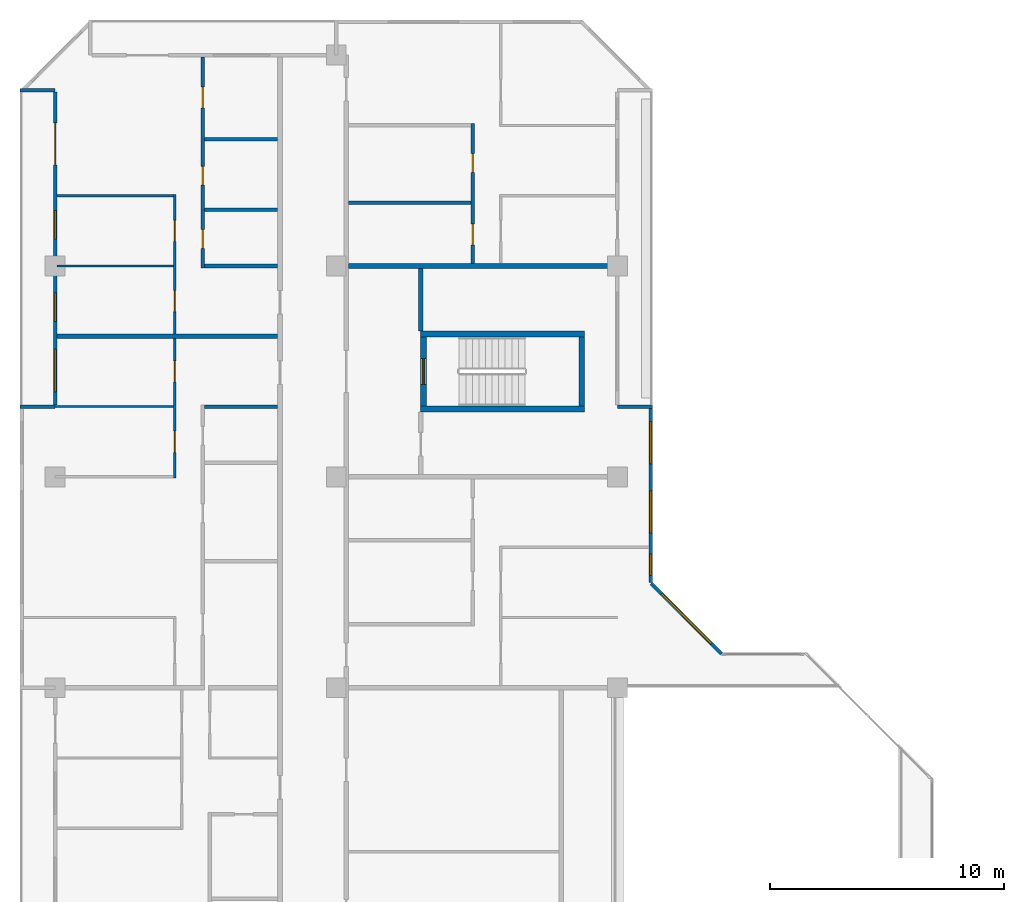
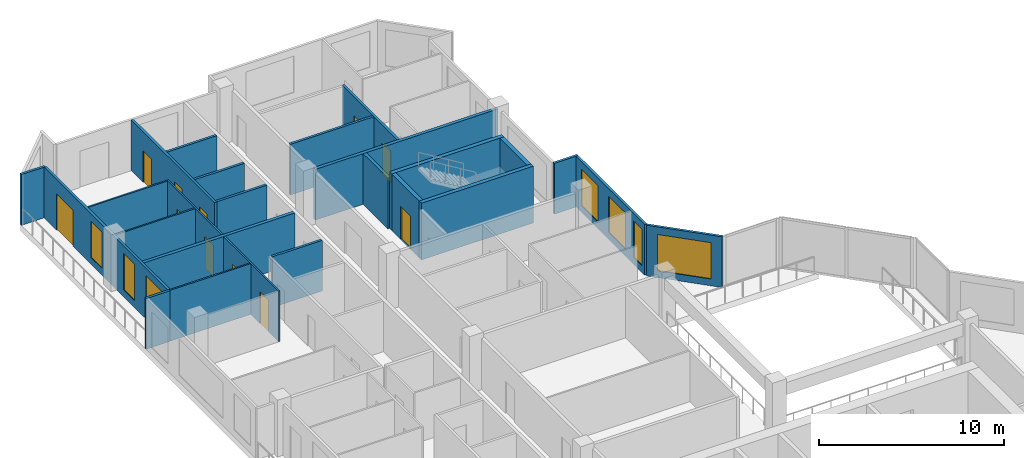
# One storey, part 10 of 14: 25 walls, 11 doors, 7 windows, 18 openings.
"""IFC4 building model written with IfcOpenShell, lengths in metres."""

from ifc_helpers import new_model, si_unit, direction, frame, frame_2d, origin, place, context, subcontext, project, spatial, rectangle, extrude, material, layer, layer_set, type_object, element, fill, save


model = new_model("IFC4")

# Units and contexts
model_context = context("Model", 3, precision=1e-05, world=origin(), true_north=direction((0.0, 1.0)))
body_context = subcontext(model_context, "Body", "Model", "MODEL_VIEW")
ifc_project = project(units=[si_unit("LENGTHUNIT", "METRE"), si_unit("AREAUNIT", "SQUARE_METRE"), si_unit("VOLUMEUNIT", "CUBIC_METRE"), si_unit("PLANEANGLEUNIT", "RADIAN"), si_unit("MASSUNIT", "GRAM", prefix="KILO")], contexts=[model_context])

# Site, building, storey
site_placement = place(None, origin())
site = spatial("IfcSite", under=ifc_project, at=site_placement, CompositionType="ELEMENT")
building_placement = place(site_placement, origin())
building = spatial("IfcBuilding", under=site, at=building_placement, Name="Chenar Terraces", CompositionType="ELEMENT")
storey_placement = place(building_placement, frame((0.0, 0.0, 241.64990234375)))
storey = spatial("IfcBuildingStorey", under=building, at=storey_placement, Name="L57", CompositionType="ELEMENT", Elevation=241.64990234375)

# Walls
ifc_material_1 = material(Name="Concrete C60/75", Category="concrete")
ifc_layer_1 = layer(ifc_material_1, 0.25)
ifc_layer_set_1 = layer_set([ifc_layer_1], Name="Concrete C60/75")
wall_type_1 = type_object("IfcWallType", Name="Core wall 250 Concrete C60/75", PredefinedType="SHEAR", material=ifc_layer_set_1)
for number, where, z_axis, x_axis, name in (
    (1, (15.60009765625, 47.89990234375, 0.0), (0.0, 0.0, 1.0), (1.0, 0.0, 0.0), "Core wall ST4_S L57"),
    (2, (15.60009765625, 51.10009765625, 0.0), (0.0, 0.0, 1.0), (1.0, 0.0, 0.0), "Core wall ST4_N L57"),
):
    element("IfcWall", number, at=place(storey_placement, frame(where, z_axis=z_axis, x_axis=x_axis)), inside=storey, type_object=wall_type_1, Name=name, PredefinedType="SHEAR", context=body_context, shape_type="SweptSolid", body=[
        extrude(rectangle(XDim=7.0, YDim=0.25, at=frame_2d((3.5, 0.0))), origin(), (0.0, 0.0, 1.0), 3.75),
    ])

# Wall, opening, door
wall_1_placement = place(storey_placement, frame((15.72509765625, 48.02490234375, 0.0), z_axis=(0.0, 0.0, 1.0), x_axis=(0.0, 1.0, 0.0)))
wall_1 = element("IfcWall", 3, at=wall_1_placement, inside=storey, type_object=wall_type_1, Name="Core wall ST4_W L57", PredefinedType="SHEAR", context=body_context, shape_type="SweptSolid", body=[
    extrude(rectangle(XDim=2.9501953125, YDim=0.25, at=frame_2d((1.47509765625, 0.0))), origin(), (0.0, 0.0, 1.0), 3.75),
])
opening_1_placement = place(wall_1_placement, frame((0.925048828125, 0.0, 0.0)))
opening_1 = element("IfcOpeningElement", 4, at=opening_1_placement, cuts=wall_1, Name="Opening DL57-C9", PredefinedType="OPENING", context=body_context, shape_type="SweptSolid", body=[
    extrude(rectangle(XDim=1.10009765625, YDim=2.199951171875, at=frame_2d((0.550048828125, 1.10009765625))), frame((0.0, 0.135009765625, 0.0), z_axis=(0.0, -1.0, 0.0), x_axis=(1.0, 0.0, 0.0)), (0.0, 0.0, 1.0), 0.27001953125),
])
ifc_material_2 = material(Name="Steel-framed fire-resisting door leaf", Category="steel")
door_type_1 = type_object("IfcDoorType", Name="Stair fire door FD60 1100 x 2200", OperationType="SINGLE_SWING_LEFT", PredefinedType="DOOR", material=ifc_material_2)
door_1_placement = place(opening_1_placement, frame((1.10009765625, 0.0, 0.0), z_axis=(0.0, 0.0, 1.0), x_axis=(-1.0, 0.0, 0.0)))
door_1 = element("IfcDoor", 5, at=door_1_placement, inside=storey, type_object=door_type_1, Name="Stair door DL57-C9", OperationType="SINGLE_SWING_RIGHT", OverallHeight=2.199951171875, OverallWidth=1.10009765625, PredefinedType="DOOR", context=body_context, shape_type="SweptSolid", body=[
    extrude(rectangle(XDim=1.10009765625, YDim=2.199951171875, at=frame_2d((0.550048828125, 1.10009765625))), frame((0.0, 0.02490234375, 0.0), z_axis=(0.0, -1.0, 0.0), x_axis=(1.0, 0.0, 0.0)), (0.0, 0.0, 1.0), 0.050048828125),
])
fill(opening_1, door_1)

# Walls
wall_2_placement = place(storey_placement, frame((22.47509765625, 48.02490234375, 0.0), z_axis=(0.0, 0.0, 1.0), x_axis=(0.0, 1.0, 0.0)))
element("IfcWall", 6, at=wall_2_placement, inside=storey, type_object=wall_type_1, Name="Core wall ST4_E L57", PredefinedType="SHEAR", context=body_context, shape_type="SweptSolid", body=[
    extrude(rectangle(XDim=2.9501953125, YDim=0.25, at=frame_2d((1.47509765625, 0.0))), origin(), (0.0, 0.0, 1.0), 3.75),
])
ifc_material_3 = material(Name="Gypsum board on steel studs with fire boards", Category="steel")
ifc_layer_2 = layer(ifc_material_3, 0.199951171875)
ifc_layer_set_2 = layer_set([ifc_layer_2], Name="Gypsum board on steel studs with fire boards")
wall_type_2 = type_object("IfcWallType", Name="Corridor wall 200", PredefinedType="PARTITIONING", material=ifc_layer_set_2)
wall_3_placement = place(storey_placement, frame((15.60009765625, 51.22509765625, 0.0), z_axis=(0.0, 0.0, 1.0), x_axis=(0.0, 1.0, 0.0)))
element("IfcWall", 7, at=wall_3_placement, inside=storey, type_object=wall_type_2, Name="Partition L57-048", PredefinedType="PARTITIONING", context=body_context, shape_type="SweptSolid", body=[
    extrude(rectangle(XDim=2.6748046875, YDim=0.199951171875, at=frame_2d((1.33740234375, 0.0))), origin(), (0.0, 0.0, 1.0), 3.35009765625),
])

# Wall, openings, windows
ifc_material_4 = material(Name="Aluminium framed glazing", Category="aluminium")
ifc_layer_3 = layer(ifc_material_4, 0.14990234375)
ifc_layer_set_3 = layer_set([ifc_layer_3], Name="Aluminium framed glazing")
wall_type_3 = type_object("IfcWallType", Name="Glazed flush facade wall 150", PredefinedType="SOLIDWALL", material=ifc_layer_set_3)
wall_4_placement = place(storey_placement, frame((25.425048828125, 40.5, 0.0), z_axis=(0.0, 0.0, 1.0), x_axis=(0.0, 1.0, 0.0)))
wall_4 = element("IfcWall", 8, at=wall_4_placement, inside=storey, type_object=wall_type_3, Name="Glazed flush facade wall", PredefinedType="SOLIDWALL", context=body_context, shape_type="SweptSolid", body=[
    extrude(rectangle(XDim=7.425048828125, YDim=0.14990234375, at=frame_2d((3.71240234375, 0.0))), origin(), (0.0, 0.0, 1.0), 3.35009765625),
])
opening_2_placement = place(wall_4_placement, frame((0.300048828125, 0.0, 0.449951171875)))
opening_2 = element("IfcOpeningElement", 9, at=opening_2_placement, cuts=wall_4, Name="Opening W90x240", PredefinedType="OPENING", context=body_context, shape_type="SweptSolid", body=[
    extrude(rectangle(XDim=0.89990234375, YDim=2.39990234375, at=frame_2d((0.449951171875, 1.199951171875))), frame((0.0, 0.0849609375, 0.0), z_axis=(0.0, -1.0, 0.0), x_axis=(1.0, 0.0, 0.0)), (0.0, 0.0, 1.0), 0.169921875),
])
opening_3_placement = place(wall_4_placement, frame((2.10009765625, 0.0, 0.449951171875)))
opening_3 = element("IfcOpeningElement", 10, at=opening_3_placement, cuts=wall_4, Name="Opening W180x240", PredefinedType="OPENING", context=body_context, shape_type="SweptSolid", body=[
    extrude(rectangle(XDim=1.800048828125, YDim=2.39990234375, at=frame_2d((0.89990234375, 1.199951171875))), frame((0.0, 0.0849609375, 0.0), z_axis=(0.0, -1.0, 0.0), x_axis=(1.0, 0.0, 0.0)), (0.0, 0.0, 1.0), 0.169921875),
])
opening_4_placement = place(wall_4_placement, frame((5.0625, 0.0, 0.449951171875)))
opening_4 = element("IfcOpeningElement", 11, at=opening_4_placement, cuts=wall_4, Name="Opening W180x240", PredefinedType="OPENING", context=body_context, shape_type="SweptSolid", body=[
    extrude(rectangle(XDim=1.800048828125, YDim=2.39990234375, at=frame_2d((0.89990234375, 1.199951171875))), frame((0.0, 0.0849609375, 0.0), z_axis=(0.0, -1.0, 0.0), x_axis=(1.0, 0.0, 0.0)), (0.0, 0.0, 1.0), 0.169921875),
])
ifc_material_5 = material(Name="Low emissivity double glazing, aluminium frame", Category="aluminium")
window_type_1 = type_object("IfcWindowType", Name="Fixed light 1800 x 2400", PartitioningType="SINGLE_PANEL", PredefinedType="WINDOW", material=ifc_material_5)
window_1_placement = place(opening_3_placement, origin())
window_1 = element("IfcWindow", 12, at=window_1_placement, inside=storey, type_object=window_type_1, Name="Window", OverallHeight=2.39990234375, OverallWidth=1.800048828125, PartitioningType="SINGLE_PANEL", PredefinedType="WINDOW", context=body_context, shape_type="SweptSolid", body=[
    extrude(rectangle(XDim=1.800048828125, YDim=2.39990234375, at=frame_2d((0.89990234375, 1.199951171875))), frame((0.0, 0.030029296875, 0.0), z_axis=(0.0, -1.0, 0.0), x_axis=(1.0, 0.0, 0.0)), (0.0, 0.0, 1.0), 0.06005859375),
])
fill(opening_3, window_1)
window_2_placement = place(opening_4_placement, origin())
window_2 = element("IfcWindow", 13, at=window_2_placement, inside=storey, type_object=window_type_1, Name="Window", OverallHeight=2.39990234375, OverallWidth=1.800048828125, PartitioningType="SINGLE_PANEL", PredefinedType="WINDOW", context=body_context, shape_type="SweptSolid", body=[
    extrude(rectangle(XDim=1.800048828125, YDim=2.39990234375, at=frame_2d((0.89990234375, 1.199951171875))), frame((0.0, 0.030029296875, 0.0), z_axis=(0.0, -1.0, 0.0), x_axis=(1.0, 0.0, 0.0)), (0.0, 0.0, 1.0), 0.06005859375),
])
fill(opening_4, window_2)
ifc_material_6 = material(Name="Low emissivity double glazing, aluminium frame", Category="aluminium")
window_type_2 = type_object("IfcWindowType", Name="Fixed light 900 x 2400", PartitioningType="SINGLE_PANEL", PredefinedType="WINDOW", material=ifc_material_6)
window_3_placement = place(opening_2_placement, origin())
window_3 = element("IfcWindow", 14, at=window_3_placement, inside=storey, type_object=window_type_2, Name="Window", OverallHeight=2.39990234375, OverallWidth=0.89990234375, PartitioningType="SINGLE_PANEL", PredefinedType="WINDOW", context=body_context, shape_type="SweptSolid", body=[
    extrude(rectangle(XDim=0.89990234375, YDim=2.39990234375, at=frame_2d((0.449951171875, 1.199951171875))), frame((0.0, 0.030029296875, 0.0), z_axis=(0.0, -1.0, 0.0), x_axis=(1.0, 0.0, 0.0)), (0.0, 0.0, 1.0), 0.06005859375),
])
fill(opening_2, window_3)

# Wall, openings, windows, door
ifc_material_7 = material(Name="Aluminium framed glazing", Category="aluminium")
ifc_layer_4 = layer(ifc_material_7, 0.14990234375)
ifc_layer_set_4 = layer_set([ifc_layer_4], Name="Aluminium framed glazing")
wall_type_4 = type_object("IfcWallType", Name="Glazed loggia back wall 150", PredefinedType="SOLIDWALL", material=ifc_layer_set_4)
wall_5_placement = place(storey_placement, frame((0.0, 61.425048828125, 0.0), z_axis=(0.0, 0.0, 1.0), x_axis=(0.0, -1.0, 0.0)))
wall_5 = element("IfcWall", 15, at=wall_5_placement, inside=storey, type_object=wall_type_4, Name="Glazed loggia back wall", PredefinedType="SOLIDWALL", context=body_context, shape_type="SweptSolid", body=[
    extrude(rectangle(XDim=13.35009765625, YDim=0.14990234375, at=frame_2d((6.675048828125, 0.0))), origin(), (0.0, 0.0, 1.0), 3.35009765625),
])
opening_5_placement = place(wall_5_placement, frame((1.3125, 0.0, 0.0)))
opening_5 = element("IfcOpeningElement", 16, at=opening_5_placement, cuts=wall_5, Name="Opening DL57-G4", PredefinedType="OPENING", context=body_context, shape_type="SweptSolid", body=[
    extrude(rectangle(XDim=1.800048828125, YDim=2.39990234375, at=frame_2d((0.89990234375, 1.199951171875))), frame((0.0, 0.0849609375, 0.0), z_axis=(0.0, -1.0, 0.0), x_axis=(1.0, 0.0, 0.0)), (0.0, 0.0, 1.0), 0.169921875),
])
opening_6_placement = place(wall_5_placement, frame((5.0625, 0.0, 0.449951171875)))
opening_6 = element("IfcOpeningElement", 17, at=opening_6_placement, cuts=wall_5, Name="Opening W120x240", PredefinedType="OPENING", context=body_context, shape_type="SweptSolid", body=[
    extrude(rectangle(XDim=1.199951171875, YDim=2.39990234375, at=frame_2d((0.60009765625, 1.199951171875))), frame((0.0, 0.0849609375, 0.0), z_axis=(0.0, -1.0, 0.0), x_axis=(1.0, 0.0, 0.0)), (0.0, 0.0, 1.0), 0.169921875),
])
opening_7_placement = place(wall_5_placement, frame((8.58740234375, 0.0, 0.449951171875)))
opening_7 = element("IfcOpeningElement", 18, at=opening_7_placement, cuts=wall_5, Name="Opening W120x240", PredefinedType="OPENING", context=body_context, shape_type="SweptSolid", body=[
    extrude(rectangle(XDim=1.199951171875, YDim=2.39990234375, at=frame_2d((0.60009765625, 1.199951171875))), frame((0.0, 0.0849609375, 0.0), z_axis=(0.0, -1.0, 0.0), x_axis=(1.0, 0.0, 0.0)), (0.0, 0.0, 1.0), 0.169921875),
])
opening_8_placement = place(wall_5_placement, frame((10.987548828125, 0.0, 0.449951171875)))
opening_8 = element("IfcOpeningElement", 19, at=opening_8_placement, cuts=wall_5, Name="Opening W180x240", PredefinedType="OPENING", context=body_context, shape_type="SweptSolid", body=[
    extrude(rectangle(XDim=1.800048828125, YDim=2.39990234375, at=frame_2d((0.89990234375, 1.199951171875))), frame((0.0, 0.0849609375, 0.0), z_axis=(0.0, -1.0, 0.0), x_axis=(1.0, 0.0, 0.0)), (0.0, 0.0, 1.0), 0.169921875),
])
ifc_material_8 = material(Name="Low emissivity double glazing, aluminium frame", Category="aluminium")
window_type_3 = type_object("IfcWindowType", Name="Fixed light 1200 x 2400", PartitioningType="SINGLE_PANEL", PredefinedType="WINDOW", material=ifc_material_8)
window_4_placement = place(opening_6_placement, origin())
window_4 = element("IfcWindow", 20, at=window_4_placement, inside=storey, type_object=window_type_3, Name="Window", OverallHeight=2.39990234375, OverallWidth=1.199951171875, PartitioningType="SINGLE_PANEL", PredefinedType="WINDOW", context=body_context, shape_type="SweptSolid", body=[
    extrude(rectangle(XDim=1.199951171875, YDim=2.39990234375, at=frame_2d((0.60009765625, 1.199951171875))), frame((0.0, 0.030029296875, 0.0), z_axis=(0.0, -1.0, 0.0), x_axis=(1.0, 0.0, 0.0)), (0.0, 0.0, 1.0), 0.06005859375),
])
fill(opening_6, window_4)
window_5_placement = place(opening_7_placement, origin())
window_5 = element("IfcWindow", 21, at=window_5_placement, inside=storey, type_object=window_type_3, Name="Window", OverallHeight=2.39990234375, OverallWidth=1.199951171875, PartitioningType="SINGLE_PANEL", PredefinedType="WINDOW", context=body_context, shape_type="SweptSolid", body=[
    extrude(rectangle(XDim=1.199951171875, YDim=2.39990234375, at=frame_2d((0.60009765625, 1.199951171875))), frame((0.0, 0.030029296875, 0.0), z_axis=(0.0, -1.0, 0.0), x_axis=(1.0, 0.0, 0.0)), (0.0, 0.0, 1.0), 0.06005859375),
])
fill(opening_7, window_5)
window_6_placement = place(opening_8_placement, origin())
window_6 = element("IfcWindow", 22, at=window_6_placement, inside=storey, type_object=window_type_1, Name="Window", OverallHeight=2.39990234375, OverallWidth=1.800048828125, PartitioningType="SINGLE_PANEL", PredefinedType="WINDOW", context=body_context, shape_type="SweptSolid", body=[
    extrude(rectangle(XDim=1.800048828125, YDim=2.39990234375, at=frame_2d((0.89990234375, 1.199951171875))), frame((0.0, 0.030029296875, 0.0), z_axis=(0.0, -1.0, 0.0), x_axis=(1.0, 0.0, 0.0)), (0.0, 0.0, 1.0), 0.06005859375),
])
fill(opening_8, window_6)
ifc_material_9 = material(Name="Low emissivity double glazing, aluminium frame", Category="aluminium")
door_type_2 = type_object("IfcDoorType", Name="Loggia glazed double door 1800 x 2400", OperationType="DOUBLE_DOOR_SINGLE_SWING", PredefinedType="DOOR", material=ifc_material_9)
door_2_placement = place(opening_5_placement, frame((1.800048828125, 0.0, 0.0), z_axis=(0.0, 0.0, 1.0), x_axis=(-1.0, 0.0, 0.0)))
door_2 = element("IfcDoor", 23, at=door_2_placement, inside=storey, type_object=door_type_2, Name="Loggia glazed door", OperationType="DOUBLE_DOOR_SINGLE_SWING", OverallHeight=2.39990234375, OverallWidth=1.800048828125, PredefinedType="DOOR", context=body_context, shape_type="SweptSolid", body=[
    extrude(rectangle(XDim=1.800048828125, YDim=2.39990234375, at=frame_2d((0.89990234375, 1.199951171875))), frame((0.0, 0.02490234375, 0.0), z_axis=(0.0, -1.0, 0.0), x_axis=(1.0, 0.0, 0.0)), (0.0, 0.0, 1.0), 0.050048828125),
])
fill(opening_5, door_2)

# Walls
ifc_material_10 = material(Name="Gypsum board on steel studs", Category="steel")
ifc_layer_5 = layer(ifc_material_10, 0.10009765625)
ifc_layer_set_5 = layer_set([ifc_layer_5], Name="Gypsum board on steel studs")
wall_type_5 = type_object("IfcWallType", Name="Gypsum partition 100", PredefinedType="PARTITIONING", material=ifc_layer_set_5)
wall_6_placement = place(storey_placement, frame((0.0, 48.0, 0.0), z_axis=(0.0, 0.0, 1.0), x_axis=(1.0, 0.0, 0.0)))
element("IfcWall", 24, at=wall_6_placement, inside=storey, type_object=wall_type_5, Name="Partition L57-006", PredefinedType="PARTITIONING", context=body_context, shape_type="SweptSolid", body=[
    extrude(rectangle(XDim=5.050048828125, YDim=0.10009765625, at=frame_2d((2.52490234375, 0.0))), origin(), (0.0, 0.0, 1.0), 3.35009765625),
])
for number, where, z_axis, x_axis, name in (
    (25, (0.073974609375, 54.0, 0.0), (0.0, 0.0, 1.0), (1.0, 0.0, 0.0), "Partition L57-010"),
    (26, (0.073974609375, 57.0, 0.0), (0.0, 0.0, 1.0), (1.0, 0.0, 0.0), "Partition L57-011"),
):
    element("IfcWall", number, at=place(storey_placement, frame(where, z_axis=z_axis, x_axis=x_axis)), inside=storey, type_object=wall_type_5, Name=name, PredefinedType="PARTITIONING", context=body_context, shape_type="SweptSolid", body=[
        extrude(rectangle(XDim=4.97607421875, YDim=0.10009765625, at=frame_2d((2.488037109375, 0.0))), origin(), (0.0, 0.0, 1.0), 3.35009765625),
    ])

# Wall, openings, doors
wall_7_placement = place(storey_placement, frame((5.10009765625, 44.949951171875, 0.0), z_axis=(0.0, 0.0, 1.0), x_axis=(0.0, 1.0, 0.0)))
wall_7 = element("IfcWall", 27, at=wall_7_placement, inside=storey, type_object=wall_type_5, Name="Partition L57-014", PredefinedType="PARTITIONING", context=body_context, shape_type="SweptSolid", body=[
    extrude(rectangle(XDim=5.949951171875, YDim=0.10009765625, at=frame_2d((2.97509765625, 0.0))), origin(), (0.0, 0.0, 1.0), 3.35009765625),
])
opening_9_placement = place(wall_7_placement, frame((1.10009765625, 0.0, 0.0)))
opening_9 = element("IfcOpeningElement", 28, at=opening_9_placement, cuts=wall_7, Name="Opening DL57-25", PredefinedType="OPENING", context=body_context, shape_type="SweptSolid", body=[
    extrude(rectangle(XDim=0.89990234375, YDim=2.10009765625, at=frame_2d((0.449951171875, 1.050048828125))), frame((0.0, 0.06005859375, 0.0), z_axis=(0.0, -1.0, 0.0), x_axis=(1.0, 0.0, 0.0)), (0.0, 0.0, 1.0), 0.1201171875),
])
opening_10_placement = place(wall_7_placement, frame((4.10009765625, 0.0, 0.0)))
opening_10 = element("IfcOpeningElement", 29, at=opening_10_placement, cuts=wall_7, Name="Opening DL57-26", PredefinedType="OPENING", context=body_context, shape_type="SweptSolid", body=[
    extrude(rectangle(XDim=0.89990234375, YDim=2.10009765625, at=frame_2d((0.449951171875, 1.050048828125))), frame((0.0, 0.06005859375, 0.0), z_axis=(0.0, -1.0, 0.0), x_axis=(1.0, 0.0, 0.0)), (0.0, 0.0, 1.0), 0.1201171875),
])
ifc_material_11 = material(Name="Veneered timber door leaf", Category="wood")
door_type_3 = type_object("IfcDoorType", Name="Door 900 x 2100", OperationType="SINGLE_SWING_LEFT", PredefinedType="DOOR", material=ifc_material_11)
door_3_placement = place(opening_9_placement, origin())
door_3 = element("IfcDoor", 30, at=door_3_placement, inside=storey, type_object=door_type_3, Name="Door DL57-25", OperationType="SINGLE_SWING_LEFT", OverallHeight=2.10009765625, OverallWidth=0.89990234375, PredefinedType="DOOR", context=body_context, shape_type="SweptSolid", body=[
    extrude(rectangle(XDim=0.89990234375, YDim=2.10009765625, at=frame_2d((0.449951171875, 1.050048828125))), frame((0.0, 0.02490234375, 0.0), z_axis=(0.0, -1.0, 0.0), x_axis=(1.0, 0.0, 0.0)), (0.0, 0.0, 1.0), 0.050048828125),
])
fill(opening_9, door_3)
door_4_placement = place(opening_10_placement, origin())
door_4 = element("IfcDoor", 31, at=door_4_placement, inside=storey, type_object=door_type_3, Name="Door DL57-26", OperationType="SINGLE_SWING_RIGHT", OverallHeight=2.10009765625, OverallWidth=0.89990234375, PredefinedType="DOOR", context=body_context, shape_type="SweptSolid", body=[
    extrude(rectangle(XDim=0.89990234375, YDim=2.10009765625, at=frame_2d((0.449951171875, 1.050048828125))), frame((0.0, 0.02490234375, 0.0), z_axis=(0.0, -1.0, 0.0), x_axis=(1.0, 0.0, 0.0)), (0.0, 0.0, 1.0), 0.050048828125),
])
fill(opening_10, door_4)

wall_8_placement = place(storey_placement, frame((5.10009765625, 51.10009765625, 0.0), z_axis=(0.0, 0.0, 1.0), x_axis=(0.0, 1.0, 0.0)))
wall_8 = element("IfcWall", 32, at=wall_8_placement, inside=storey, type_object=wall_type_5, Name="Partition L57-015", PredefinedType="PARTITIONING", context=body_context, shape_type="SweptSolid", body=[
    extrude(rectangle(XDim=5.949951171875, YDim=0.10009765625, at=frame_2d((2.97509765625, 0.0))), origin(), (0.0, 0.0, 1.0), 3.35009765625),
])
opening_11_placement = place(wall_8_placement, frame((0.949951171875, 0.0, 0.0)))
opening_11 = element("IfcOpeningElement", 33, at=opening_11_placement, cuts=wall_8, Name="Opening DL57-31", PredefinedType="OPENING", context=body_context, shape_type="SweptSolid", body=[
    extrude(rectangle(XDim=0.89990234375, YDim=2.10009765625, at=frame_2d((0.449951171875, 1.050048828125))), frame((0.0, 0.06005859375, 0.0), z_axis=(0.0, -1.0, 0.0), x_axis=(1.0, 0.0, 0.0)), (0.0, 0.0, 1.0), 0.1201171875),
])
opening_12_placement = place(wall_8_placement, frame((3.949951171875, 0.0, 0.0)))
opening_12 = element("IfcOpeningElement", 34, at=opening_12_placement, cuts=wall_8, Name="Opening DL57-32", PredefinedType="OPENING", context=body_context, shape_type="SweptSolid", body=[
    extrude(rectangle(XDim=0.89990234375, YDim=2.10009765625, at=frame_2d((0.449951171875, 1.050048828125))), frame((0.0, 0.06005859375, 0.0), z_axis=(0.0, -1.0, 0.0), x_axis=(1.0, 0.0, 0.0)), (0.0, 0.0, 1.0), 0.1201171875),
])
door_5_placement = place(opening_11_placement, origin())
door_5 = element("IfcDoor", 35, at=door_5_placement, inside=storey, type_object=door_type_3, Name="Door DL57-31", OperationType="SINGLE_SWING_RIGHT", OverallHeight=2.10009765625, OverallWidth=0.89990234375, PredefinedType="DOOR", context=body_context, shape_type="SweptSolid", body=[
    extrude(rectangle(XDim=0.89990234375, YDim=2.10009765625, at=frame_2d((0.449951171875, 1.050048828125))), frame((0.0, 0.02490234375, 0.0), z_axis=(0.0, -1.0, 0.0), x_axis=(1.0, 0.0, 0.0)), (0.0, 0.0, 1.0), 0.050048828125),
])
fill(opening_11, door_5)
door_6_placement = place(opening_12_placement, origin())
door_6 = element("IfcDoor", 36, at=door_6_placement, inside=storey, type_object=door_type_3, Name="Door DL57-32", OperationType="SINGLE_SWING_RIGHT", OverallHeight=2.10009765625, OverallWidth=0.89990234375, PredefinedType="DOOR", context=body_context, shape_type="SweptSolid", body=[
    extrude(rectangle(XDim=0.89990234375, YDim=2.10009765625, at=frame_2d((0.449951171875, 1.050048828125))), frame((0.0, 0.02490234375, 0.0), z_axis=(0.0, -1.0, 0.0), x_axis=(1.0, 0.0, 0.0)), (0.0, 0.0, 1.0), 0.050048828125),
])
fill(opening_12, door_6)

# Walls
ifc_material_12 = material(Name="Terracotta cladding on insulated backing", Category="masonry")
ifc_layer_6 = layer(ifc_material_12, 0.14990234375)
ifc_layer_set_6 = layer_set([ifc_layer_6], Name="Terracotta cladding on insulated backing")
wall_type_6 = type_object("IfcWallType", Name="Loggia return wall 150", PredefinedType="SOLIDWALL", material=ifc_layer_set_6)
for number, where, z_axis, x_axis, name in (
    (37, (25.5, 48.0, 0.0), (0.0, 0.0, 1.0), (-1.0, 0.0, 0.0), "Loggia return wall"),
    (38, (-1.5, 61.5, 0.0), (0.0, 0.0, 1.0), (1.0, 0.0, 0.0), "Loggia return wall"),
    (39, (-1.5, 48.0, 0.0), (0.0, 0.0, 1.0), (1.0, 0.0, 0.0), "Loggia return wall"),
):
    element("IfcWall", number, at=place(storey_placement, frame(where, z_axis=z_axis, x_axis=x_axis)), inside=storey, type_object=wall_type_6, Name=name, PredefinedType="SOLIDWALL", context=body_context, shape_type="SweptSolid", body=[
        extrude(rectangle(XDim=1.5, YDim=0.14990234375, at=frame_2d((0.75, 0.0))), origin(), (0.0, 0.0, 1.0), 3.35009765625),
    ])

# Wall, opening, window
ifc_material_13 = material(Name="Terracotta cladding on insulated backing", Category="masonry")
ifc_layer_7 = layer(ifc_material_13, 0.14990234375)
ifc_layer_set_7 = layer_set([ifc_layer_7], Name="Terracotta cladding on insulated backing")
wall_type_7 = type_object("IfcWallType", Name="Terracotta rainscreen wall 150", PredefinedType="SOLIDWALL", material=ifc_layer_set_7)
wall_9_placement = place(storey_placement, frame((28.447021484375, 37.447021484375, 0.0), z_axis=(0.0, 0.0, 1.0), x_axis=(-0.707106781187, 0.707106781187, 0.0)))
wall_9 = element("IfcWall", 40, at=wall_9_placement, inside=storey, type_object=wall_type_7, Name="Terracotta rainscreen wall", PredefinedType="SOLIDWALL", context=body_context, shape_type="SweptSolid", body=[
    extrude(rectangle(XDim=4.24267578125, YDim=0.14990234375, at=frame_2d((2.121337890625, 0.0))), origin(), (0.0, 0.0, 1.0), 3.35009765625),
])
opening_13_placement = place(wall_9_placement, frame((0.621337890625, 0.0, 0.449951171875)))
opening_13 = element("IfcOpeningElement", 41, at=opening_13_placement, cuts=wall_9, Name="Opening W300x240", PredefinedType="OPENING", context=body_context, shape_type="SweptSolid", body=[
    extrude(rectangle(XDim=3.0, YDim=2.39990234375, at=frame_2d((1.5, 1.199951171875))), frame((0.0, 0.0849609375, 0.0), z_axis=(0.0, -1.0, 0.0), x_axis=(1.0, 0.0, 0.0)), (0.0, 0.0, 1.0), 0.169921875),
])
ifc_material_14 = material(Name="Low emissivity double glazing, aluminium frame", Category="aluminium")
window_type_4 = type_object("IfcWindowType", Name="Fixed light 3000 x 2400", PartitioningType="SINGLE_PANEL", PredefinedType="WINDOW", material=ifc_material_14)
window_7_placement = place(opening_13_placement, origin())
window_7 = element("IfcWindow", 42, at=window_7_placement, inside=storey, type_object=window_type_4, Name="Window", OverallHeight=2.39990234375, OverallWidth=3.0, PartitioningType="SINGLE_PANEL", PredefinedType="WINDOW", context=body_context, shape_type="SweptSolid", body=[
    extrude(rectangle(XDim=3.0, YDim=2.39990234375, at=frame_2d((1.5, 1.199951171875))), frame((0.0, 0.030029296875, 0.0), z_axis=(0.0, -1.0, 0.0), x_axis=(1.0, 0.0, 0.0)), (0.0, 0.0, 1.0), 0.06005859375),
])
fill(opening_13, window_7)

# Walls
ifc_material_15 = material(Name="Twin gypsum board on steel studs with mineral wool", Category="steel")
ifc_layer_8 = layer(ifc_material_15, 0.199951171875)
ifc_layer_set_8 = layer_set([ifc_layer_8], Name="Twin gypsum board on steel studs with mineral wool")
wall_type_8 = type_object("IfcWallType", Name="Unit demising wall 200", PredefinedType="PARTITIONING", material=ifc_layer_set_8)
wall_10_placement = place(storey_placement, frame((0.073974609375, 51.0, 0.0), z_axis=(0.0, 0.0, 1.0), x_axis=(1.0, 0.0, 0.0)))
element("IfcWall", 43, at=wall_10_placement, inside=storey, type_object=wall_type_8, Name="Partition L57-009", PredefinedType="PARTITIONING", context=body_context, shape_type="SweptSolid", body=[
    extrude(rectangle(XDim=9.426025390625, YDim=0.199951171875, at=frame_2d((4.712890625, 0.0))), origin(), (0.0, 0.0, 1.0), 3.35009765625),
])
wall_11_placement = place(storey_placement, frame((12.52490234375, 54.0, 0.0), z_axis=(0.0, 0.0, 1.0), x_axis=(1.0, 0.0, 0.0)))
element("IfcWall", 44, at=wall_11_placement, inside=storey, type_object=wall_type_8, Name="Partition L57-043", PredefinedType="PARTITIONING", context=body_context, shape_type="SweptSolid", body=[
    extrude(rectangle(XDim=11.401123046875, YDim=0.199951171875, at=frame_2d((5.70068359375, 0.0))), origin(), (0.0, 0.0, 1.0), 3.35009765625),
])

# Wall, openings, doors
ifc_material_16 = material(Name="Moisture-resistant gypsum board on steel studs", Category="steel")
ifc_layer_9 = layer(ifc_material_16, 0.14990234375)
ifc_layer_set_9 = layer_set([ifc_layer_9], Name="Moisture-resistant gypsum board on steel studs")
wall_type_9 = type_object("IfcWallType", Name="Wet-room partition 150", PredefinedType="PARTITIONING", material=ifc_layer_set_9)
wall_12_placement = place(storey_placement, frame((6.300048828125, 53.925048828125, 0.0), z_axis=(0.0, 0.0, 1.0), x_axis=(0.0, 1.0, 0.0)))
wall_12 = element("IfcWall", 45, at=wall_12_placement, inside=storey, type_object=wall_type_9, Name="Partition L57-018", PredefinedType="PARTITIONING", context=body_context, shape_type="SweptSolid", body=[
    extrude(rectangle(XDim=9.0009765625, YDim=0.14990234375, at=frame_2d((4.50048828125, 0.0))), origin(), (0.0, 0.0, 1.0), 3.35009765625),
])
opening_14_placement = place(wall_12_placement, frame((3.52490234375, 0.0, 0.0)))
opening_14 = element("IfcOpeningElement", 46, at=opening_14_placement, cuts=wall_12, Name="Opening DL57-30", PredefinedType="OPENING", context=body_context, shape_type="SweptSolid", body=[
    extrude(rectangle(XDim=0.800048828125, YDim=2.10009765625, at=frame_2d((0.39990234375, 1.050048828125))), frame((0.0, 0.0849609375, 0.0), z_axis=(0.0, -1.0, 0.0), x_axis=(1.0, 0.0, 0.0)), (0.0, 0.0, 1.0), 0.169921875),
])
opening_15_placement = place(wall_12_placement, frame((6.824951171875, 0.0, 0.0)))
opening_15 = element("IfcOpeningElement", 47, at=opening_15_placement, cuts=wall_12, Name="Opening DL57-33", PredefinedType="OPENING", context=body_context, shape_type="SweptSolid", body=[
    extrude(rectangle(XDim=0.89990234375, YDim=2.10009765625, at=frame_2d((0.449951171875, 1.050048828125))), frame((0.0, 0.0849609375, 0.0), z_axis=(0.0, -1.0, 0.0), x_axis=(1.0, 0.0, 0.0)), (0.0, 0.0, 1.0), 0.169921875),
])
opening_16_placement = place(wall_12_placement, frame((0.824951171875, 0.0, 0.0)))
opening_16 = element("IfcOpeningElement", 48, at=opening_16_placement, cuts=wall_12, Name="Opening DL57-35", PredefinedType="OPENING", context=body_context, shape_type="SweptSolid", body=[
    extrude(rectangle(XDim=0.800048828125, YDim=2.10009765625, at=frame_2d((0.39990234375, 1.050048828125))), frame((0.0, 0.0849609375, 0.0), z_axis=(0.0, -1.0, 0.0), x_axis=(1.0, 0.0, 0.0)), (0.0, 0.0, 1.0), 0.169921875),
])
ifc_material_17 = material(Name="Veneered timber door leaf", Category="wood")
door_type_4 = type_object("IfcDoorType", Name="Door 800 x 2100", OperationType="SINGLE_SWING_LEFT", PredefinedType="DOOR", material=ifc_material_17)
door_7_placement = place(opening_14_placement, frame((0.800048828125, 0.0, 0.0), z_axis=(0.0, 0.0, 1.0), x_axis=(-1.0, 0.0, 0.0)))
door_7 = element("IfcDoor", 49, at=door_7_placement, inside=storey, type_object=door_type_4, Name="Door DL57-30", OperationType="SINGLE_SWING_RIGHT", OverallHeight=2.10009765625, OverallWidth=0.800048828125, PredefinedType="DOOR", context=body_context, shape_type="SweptSolid", body=[
    extrude(rectangle(XDim=0.800048828125, YDim=2.10009765625, at=frame_2d((0.39990234375, 1.050048828125))), frame((0.0, 0.02490234375, 0.0), z_axis=(0.0, -1.0, 0.0), x_axis=(1.0, 0.0, 0.0)), (0.0, 0.0, 1.0), 0.050048828125),
])
fill(opening_14, door_7)
door_8_placement = place(opening_16_placement, frame((0.800048828125, 0.0, 0.0), z_axis=(0.0, 0.0, 1.0), x_axis=(-1.0, 0.0, 0.0)))
door_8 = element("IfcDoor", 50, at=door_8_placement, inside=storey, type_object=door_type_4, Name="Door DL57-35", OperationType="SINGLE_SWING_RIGHT", OverallHeight=2.10009765625, OverallWidth=0.800048828125, PredefinedType="DOOR", context=body_context, shape_type="SweptSolid", body=[
    extrude(rectangle(XDim=0.800048828125, YDim=2.10009765625, at=frame_2d((0.39990234375, 1.050048828125))), frame((0.0, 0.02490234375, 0.0), z_axis=(0.0, -1.0, 0.0), x_axis=(1.0, 0.0, 0.0)), (0.0, 0.0, 1.0), 0.050048828125),
])
fill(opening_16, door_8)
door_9_placement = place(opening_15_placement, frame((0.89990234375, 0.0, 0.0), z_axis=(0.0, 0.0, 1.0), x_axis=(-1.0, 0.0, 0.0)))
door_9 = element("IfcDoor", 51, at=door_9_placement, inside=storey, type_object=door_type_3, Name="Door DL57-33", OperationType="SINGLE_SWING_LEFT", OverallHeight=2.10009765625, OverallWidth=0.89990234375, PredefinedType="DOOR", context=body_context, shape_type="SweptSolid", body=[
    extrude(rectangle(XDim=0.89990234375, YDim=2.10009765625, at=frame_2d((0.449951171875, 1.050048828125))), frame((0.0, 0.02490234375, 0.0), z_axis=(0.0, -1.0, 0.0), x_axis=(1.0, 0.0, 0.0)), (0.0, 0.0, 1.0), 0.050048828125),
])
fill(opening_15, door_9)

# Walls
for number, where, z_axis, x_axis, name in (
    (52, (6.375, 48.0, 0.0), (0.0, 0.0, 1.0), (1.0, 0.0, 0.0), "Partition L57-021"),
    (53, (6.375, 54.0, 0.0), (0.0, 0.0, 1.0), (1.0, 0.0, 0.0), "Partition L57-022"),
    (54, (6.375, 56.39990234375, 0.0), (0.0, 0.0, 1.0), (1.0, 0.0, 0.0), "Partition L57-023"),
    (55, (6.375, 59.39990234375, 0.0), (0.0, 0.0, 1.0), (1.0, 0.0, 0.0), "Partition L57-024"),
):
    element("IfcWall", number, at=place(storey_placement, frame(where, z_axis=z_axis, x_axis=x_axis)), inside=storey, type_object=wall_type_9, Name=name, PredefinedType="PARTITIONING", context=body_context, shape_type="SweptSolid", body=[
        extrude(rectangle(XDim=3.125, YDim=0.14990234375, at=frame_2d((1.5625, 0.0))), origin(), (0.0, 0.0, 1.0), 3.35009765625),
    ])
wall_13_placement = place(storey_placement, frame((12.52490234375, 56.699951171875, 0.0), z_axis=(0.0, 0.0, 1.0), x_axis=(1.0, 0.0, 0.0)))
element("IfcWall", 56, at=wall_13_placement, inside=storey, type_object=wall_type_9, Name="Partition L57-044", PredefinedType="PARTITIONING", context=body_context, shape_type="SweptSolid", body=[
    extrude(rectangle(XDim=5.22509765625, YDim=0.14990234375, at=frame_2d((2.612548828125, 0.0))), origin(), (0.0, 0.0, 1.0), 3.35009765625),
])

# Wall, openings, doors
wall_14_placement = place(storey_placement, frame((17.824951171875, 54.10009765625, 0.0), z_axis=(0.0, 0.0, 1.0), x_axis=(0.0, 1.0, 0.0)))
wall_14 = element("IfcWall", 57, at=wall_14_placement, inside=storey, type_object=wall_type_9, Name="Partition L57-050", PredefinedType="PARTITIONING", context=body_context, shape_type="SweptSolid", body=[
    extrude(rectangle(XDim=5.974853515625, YDim=0.14990234375, at=frame_2d((2.9873046875, 0.0))), origin(), (0.0, 0.0, 1.0), 3.35009765625),
])
opening_17_placement = place(wall_14_placement, frame((3.89990234375, 0.0, 0.0)))
opening_17 = element("IfcOpeningElement", 58, at=opening_17_placement, cuts=wall_14, Name="Opening DL57-18", PredefinedType="OPENING", context=body_context, shape_type="SweptSolid", body=[
    extrude(rectangle(XDim=0.800048828125, YDim=2.10009765625, at=frame_2d((0.39990234375, 1.050048828125))), frame((0.0, 0.0849609375, 0.0), z_axis=(0.0, -1.0, 0.0), x_axis=(1.0, 0.0, 0.0)), (0.0, 0.0, 1.0), 0.169921875),
])
opening_18_placement = place(wall_14_placement, frame((0.800048828125, 0.0, 0.0)))
opening_18 = element("IfcOpeningElement", 59, at=opening_18_placement, cuts=wall_14, Name="Opening DL57-21", PredefinedType="OPENING", context=body_context, shape_type="SweptSolid", body=[
    extrude(rectangle(XDim=0.89990234375, YDim=2.10009765625, at=frame_2d((0.449951171875, 1.050048828125))), frame((0.0, 0.0849609375, 0.0), z_axis=(0.0, -1.0, 0.0), x_axis=(1.0, 0.0, 0.0)), (0.0, 0.0, 1.0), 0.169921875),
])
door_10_placement = place(opening_17_placement, origin())
door_10 = element("IfcDoor", 60, at=door_10_placement, inside=storey, type_object=door_type_4, Name="Door DL57-18", OperationType="SINGLE_SWING_RIGHT", OverallHeight=2.10009765625, OverallWidth=0.800048828125, PredefinedType="DOOR", context=body_context, shape_type="SweptSolid", body=[
    extrude(rectangle(XDim=0.800048828125, YDim=2.10009765625, at=frame_2d((0.39990234375, 1.050048828125))), frame((0.0, 0.02490234375, 0.0), z_axis=(0.0, -1.0, 0.0), x_axis=(1.0, 0.0, 0.0)), (0.0, 0.0, 1.0), 0.050048828125),
])
fill(opening_17, door_10)
door_11_placement = place(opening_18_placement, origin())
door_11 = element("IfcDoor", 61, at=door_11_placement, inside=storey, type_object=door_type_3, Name="Door DL57-21", OperationType="SINGLE_SWING_RIGHT", OverallHeight=2.10009765625, OverallWidth=0.89990234375, PredefinedType="DOOR", context=body_context, shape_type="SweptSolid", body=[
    extrude(rectangle(XDim=0.89990234375, YDim=2.10009765625, at=frame_2d((0.449951171875, 1.050048828125))), frame((0.0, 0.02490234375, 0.0), z_axis=(0.0, -1.0, 0.0), x_axis=(1.0, 0.0, 0.0)), (0.0, 0.0, 1.0), 0.050048828125),
])
fill(opening_18, door_11)

save(model, "model.ifc")
